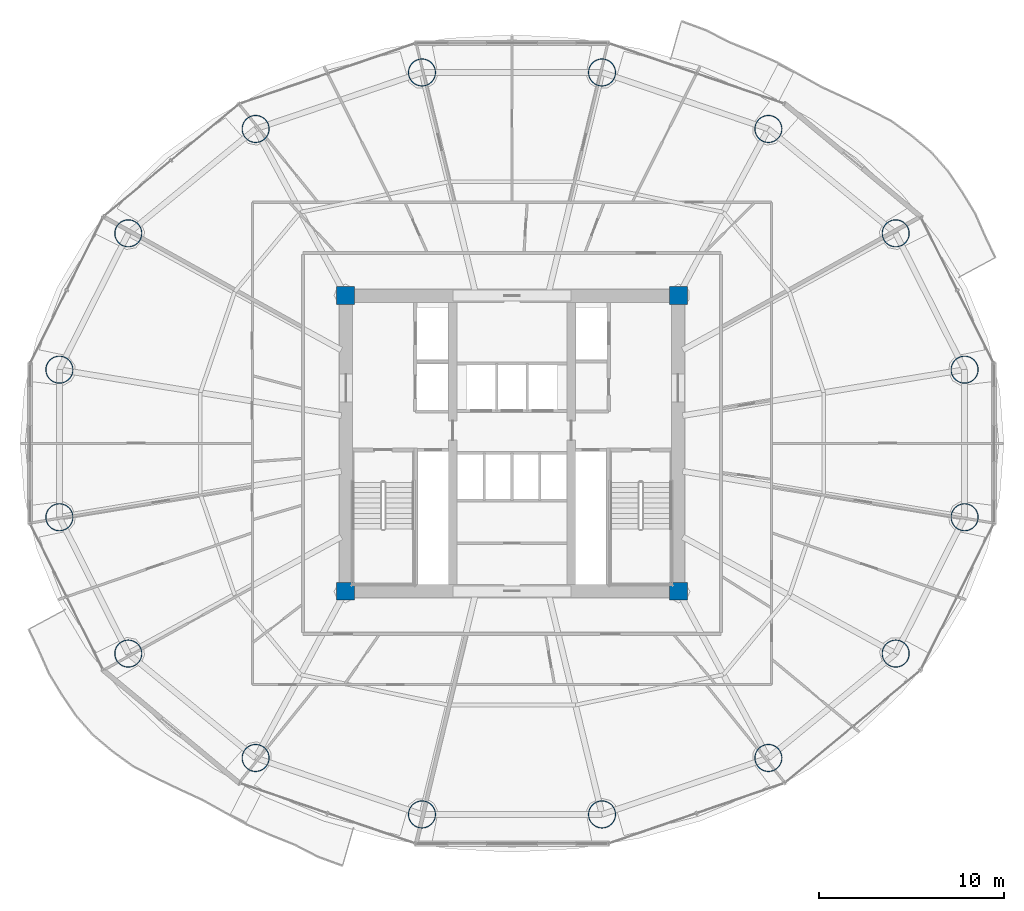
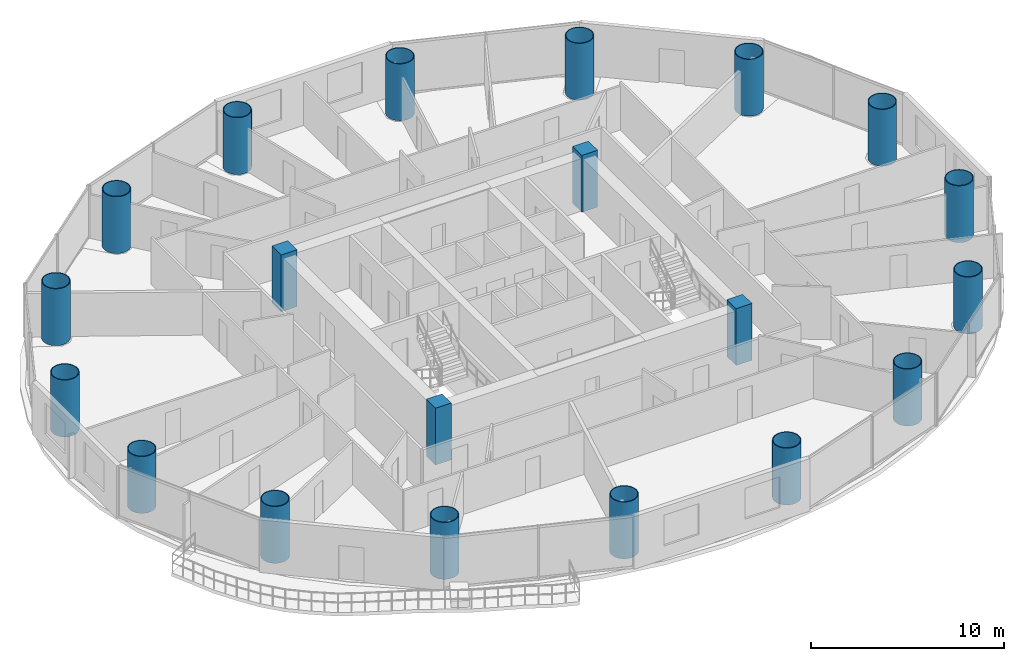
# One storey, part 1 of 29: 20 columns.
"""IFC4 building model written with IfcOpenShell, lengths in metres."""

from ifc_helpers import new_model, si_unit, direction, frame, origin, origin_2d, place, context, subcontext, project, spatial, rectangle, hollow_circle, extrude, material, material_profile, profile_set, type_object, element, save


model = new_model("IFC4")

# Units and contexts
model_context = context("Model", 3, precision=1e-05, world=origin(), true_north=direction((-0.2419218956, 0.970295726276)))
body_context = subcontext(model_context, "Body", "Model", "MODEL_VIEW")
ifc_project = project(units=[si_unit("LENGTHUNIT", "METRE"), si_unit("AREAUNIT", "SQUARE_METRE"), si_unit("VOLUMEUNIT", "CUBIC_METRE"), si_unit("PLANEANGLEUNIT", "RADIAN"), si_unit("MASSUNIT", "GRAM", prefix="KILO")], contexts=[model_context])

# Site, building, storey
site_placement = place(None, origin())
site = spatial("IfcSite", under=ifc_project, at=site_placement, CompositionType="ELEMENT")
building_placement = place(site_placement, origin())
building = spatial("IfcBuilding", under=site, at=building_placement, Name="Cobrevalo Terracotta Tower", CompositionType="ELEMENT")
storey_placement = place(building_placement, frame((0.0, 0.0, 97.800048828125)))
storey = spatial("IfcBuildingStorey", under=building, at=storey_placement, Name="L25", CompositionType="ELEMENT", Elevation=97.800048828125)

# Columns
ifc_material_1 = material(Name="Steel S355", Category="steel")
ifc_material_profile_1 = material_profile(ifc_material_1, hollow_circle(Radius=0.75, WallThickness=0.044921875, at=origin_2d()), Name="CHS 1500x45")
ifc_profile_set_1 = profile_set([ifc_material_profile_1], Name="Steel S355")
column_type_1 = type_object("IfcColumnType", Name="Structural Column CHS 1500x45 (Steel S355)", PredefinedType="COLUMN", material=ifc_profile_set_1)
for number, where, z_axis, x_axis, name in (
    (1, (62.470703125, 30.78955078125, 0.0), (0.0, 0.0, 1.0), (1.0, 0.0, 0.0), "L25 composite megacolumn MC01"),
    (2, (58.7451171875, 38.161376953125, 0.0), (0.0, 0.0, 1.0), (1.0, 0.0, 0.0), "L25 composite megacolumn MC02"),
    (3, (51.861572265625, 43.803466796875, 0.0), (0.0, 0.0, 1.0), (1.0, 0.0, 0.0), "L25 composite megacolumn MC03"),
    (4, (42.867431640625, 46.857177734375, 0.0), (0.0, 0.0, 1.0), (1.0, 0.0, 0.0), "L25 composite megacolumn MC04"),
    (5, (33.132568359375, 46.857177734375, 0.0), (0.0, 0.0, 1.0), (1.0, 0.0, 0.0), "L25 composite megacolumn MC05"),
    (6, (24.138427734375, 43.803466796875, 0.0), (0.0, 0.0, 1.0), (1.0, 0.0, 0.0), "L25 composite megacolumn MC06"),
    (7, (17.2548828125, 38.161376953125, 0.0), (0.0, 0.0, 1.0), (1.0, 0.0, 0.0), "L25 composite megacolumn MC07"),
    (8, (13.529296875, 30.78955078125, 0.0), (0.0, 0.0, 1.0), (1.0, 0.0, 0.0), "L25 composite megacolumn MC08"),
    (9, (13.529296875, 22.810302734375, 0.0), (0.0, 0.0, 1.0), (1.0, 0.0, 0.0), "L25 composite megacolumn MC09"),
    (10, (17.2548828125, 15.4384765625, 0.0), (0.0, 0.0, 1.0), (1.0, 0.0, 0.0), "L25 composite megacolumn MC10"),
    (11, (24.138427734375, 9.79638671875, 0.0), (0.0, 0.0, 1.0), (1.0, 0.0, 0.0), "L25 composite megacolumn MC11"),
    (12, (33.132568359375, 6.742919921875, 0.0), (0.0, 0.0, 1.0), (1.0, 0.0, 0.0), "L25 composite megacolumn MC12"),
    (13, (42.867431640625, 6.742919921875, 0.0), (0.0, 0.0, 1.0), (1.0, 0.0, 0.0), "L25 composite megacolumn MC13"),
    (14, (51.861572265625, 9.79638671875, 0.0), (0.0, 0.0, 1.0), (1.0, 0.0, 0.0), "L25 composite megacolumn MC14"),
    (15, (58.7451171875, 15.4384765625, 0.0), (0.0, 0.0, 1.0), (1.0, 0.0, 0.0), "L25 composite megacolumn MC15"),
    (16, (62.470703125, 22.810302734375, 0.0), (0.0, 0.0, 1.0), (1.0, 0.0, 0.0), "L25 composite megacolumn MC16"),
):
    element("IfcColumn", number, at=place(storey_placement, frame(where, z_axis=z_axis, x_axis=x_axis)), inside=storey, type_object=column_type_1, Name=name, PredefinedType="COLUMN", context=body_context, shape_type="SweptSolid", body=[
        extrude(hollow_circle(Radius=0.75, WallThickness=0.044921875, at=origin_2d()), origin(), (0.0, 0.0, 1.0), 3.599853515625),
    ])
ifc_material_2 = material(Name="Concrete C55", Category="concrete")
ifc_material_profile_2 = material_profile(ifc_material_2, rectangle(XDim=0.949951171875, YDim=0.949951171875, at=origin_2d()), Name="RC COL 950x950")
ifc_profile_set_2 = profile_set([ifc_material_profile_2], Name="Concrete C55")
column_type_2 = type_object("IfcColumnType", Name="Structural Column RC COL 950x950 (Concrete C55)", PredefinedType="COLUMN", material=ifc_profile_set_2)
for number, where, z_axis, x_axis, name in (
    (17, (29.0, 18.800048828125, 0.0), (0.0, 0.0, 1.0), (1.0, 0.0, 0.0), "L25 core corner column CC1"),
    (18, (47.0, 18.800048828125, 0.0), (0.0, 0.0, 1.0), (1.0, 0.0, 0.0), "L25 core corner column CC2"),
    (19, (47.0, 34.800048828125, 0.0), (0.0, 0.0, 1.0), (1.0, 0.0, 0.0), "L25 core corner column CC3"),
    (20, (29.0, 34.800048828125, 0.0), (0.0, 0.0, 1.0), (1.0, 0.0, 0.0), "L25 core corner column CC4"),
):
    element("IfcColumn", number, at=place(storey_placement, frame(where, z_axis=z_axis, x_axis=x_axis)), inside=storey, type_object=column_type_2, Name=name, PredefinedType="COLUMN", context=body_context, shape_type="SweptSolid", body=[
        extrude(rectangle(XDim=0.949951171875, YDim=0.949951171875, at=origin_2d()), origin(), (0.0, 0.0, 1.0), 3.599853515625),
    ])

save(model, "model.ifc")
